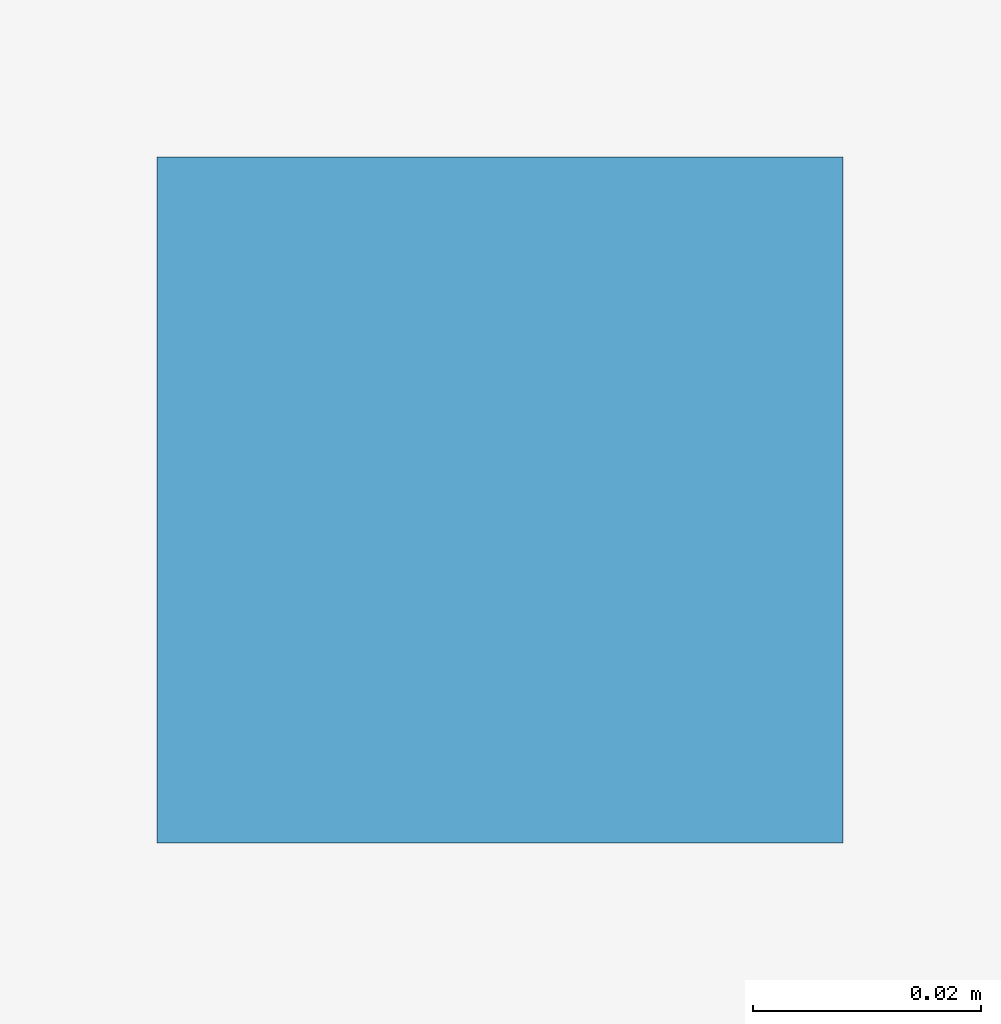
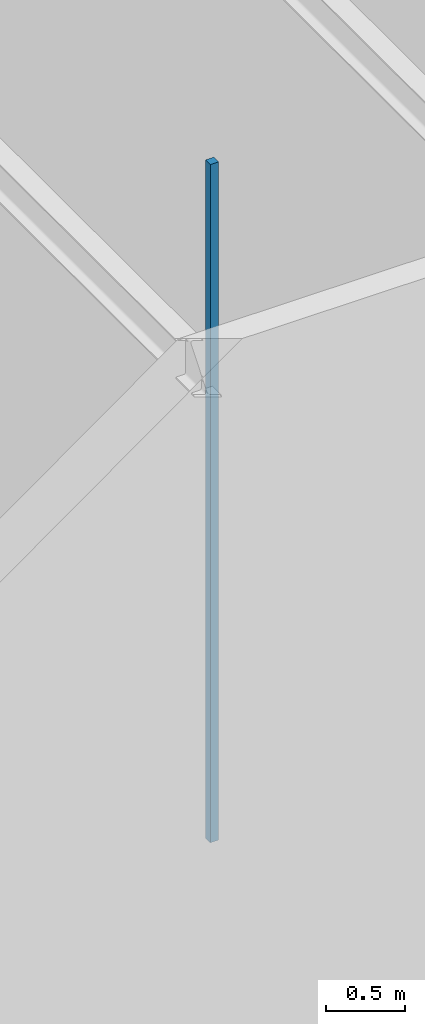
# One storey, part 114 of 138: 1 discrete accessory.
"""IFC4 building model written with IfcOpenShell, lengths in metres."""

from ifc_helpers import new_model, si_unit, direction, frame, origin, origin_2d, place, context, subcontext, project, spatial, rectangle, extrude, material, type_object, element, save


model = new_model("IFC4")

# Units and contexts
model_context = context("Model", 3, precision=1e-05, world=origin(), true_north=direction((0.0, 1.0)))
body_context = subcontext(model_context, "Body", "Model", "MODEL_VIEW")
ifc_project = project(units=[si_unit("LENGTHUNIT", "METRE"), si_unit("AREAUNIT", "SQUARE_METRE"), si_unit("VOLUMEUNIT", "CUBIC_METRE"), si_unit("PLANEANGLEUNIT", "RADIAN"), si_unit("MASSUNIT", "GRAM", prefix="KILO")], contexts=[model_context])

# Site, building, storey
site_placement = place(None, origin())
site = spatial("IfcSite", under=ifc_project, at=site_placement, CompositionType="ELEMENT")
building_placement = place(site_placement, origin())
building = spatial("IfcBuilding", under=site, at=building_placement, Name="Sundkrona Museum", CompositionType="ELEMENT")
storey_placement = place(building_placement, frame((0.0, 0.0, 9.60009765625)))
storey = spatial("IfcBuildingStorey", under=building, at=storey_placement, Name="L02", CompositionType="ELEMENT", Elevation=9.60009765625)

# Discrete accessory
ifc_material = material(Name="Stainless Steel EN 1.4404 Cleat", Category="steel")
discrete_accessory_type = type_object("IfcDiscreteAccessoryType", Name="BRK-FIN-01", PredefinedType="BRACKET", material=ifc_material)
discrete_accessory_placement = place(storey_placement, frame((163.75, 50.449951171875, 2.5498046875), z_axis=(0.0, 0.0, 1.0), x_axis=(1.0, 0.0, 0.0)))
element("IfcDiscreteAccessory", 1, at=discrete_accessory_placement, inside=storey, type_object=discrete_accessory_type, Name="L02 Painting Restoration Studio Ceiling Hanger 2", PredefinedType="BRACKET", context=body_context, shape_type="SweptSolid", body=[
    extrude(rectangle(XDim=0.06005859375, YDim=0.06005859375, at=origin_2d()), origin(), (0.0, 0.0, 1.0), 5.219970703125),
])

save(model, "model.ifc")
